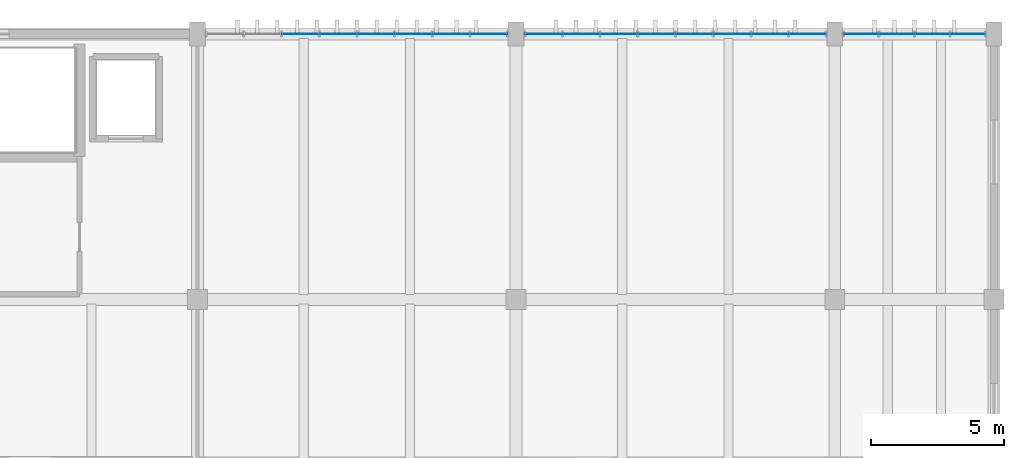
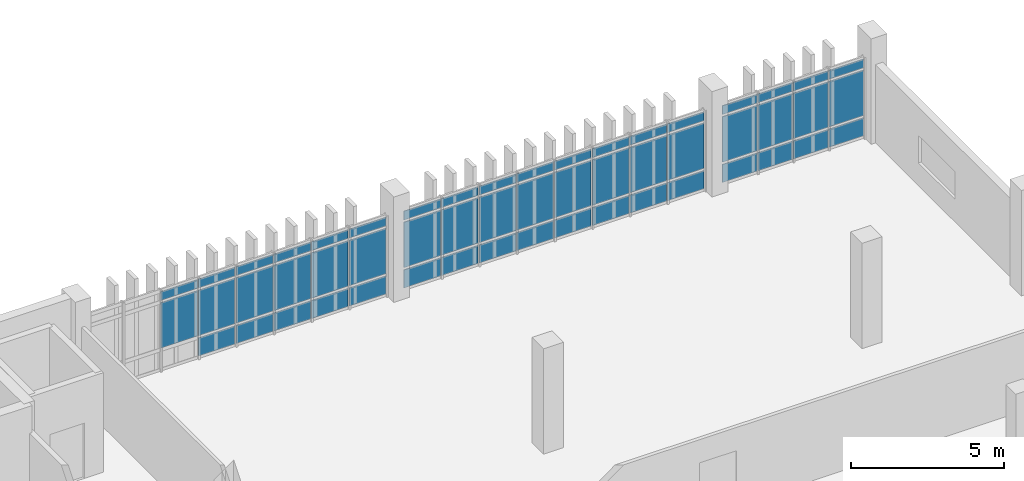
# One storey, part 140 of 161: 53 plates, 3 elements without a shape of their own.
"""IFC4 building model written with IfcOpenShell, lengths in metres."""

from ifc_helpers import new_model, si_unit, direction, frame, origin, origin_2d, place, context, subcontext, project, spatial, rectangle, extrude, material, layer, layer_set, type_object, element, aggregate, save


model = new_model("IFC4")

# Units and contexts
model_context = context("Model", 3, precision=1e-05, world=origin(), true_north=direction((0.0, 1.0)))
body_context = subcontext(model_context, "Body", "Model", "MODEL_VIEW")
ifc_project = project(units=[si_unit("LENGTHUNIT", "METRE"), si_unit("AREAUNIT", "SQUARE_METRE"), si_unit("VOLUMEUNIT", "CUBIC_METRE"), si_unit("PLANEANGLEUNIT", "RADIAN"), si_unit("MASSUNIT", "GRAM", prefix="KILO")], contexts=[model_context])

# Site, building, storey
site_placement = place(None, origin())
site = spatial("IfcSite", under=ifc_project, at=site_placement, CompositionType="ELEMENT")
building_placement = place(site_placement, origin())
building = spatial("IfcBuilding", under=site, at=building_placement, Name="Mersad Railyard Sports Hall", CompositionType="ELEMENT")
storey_placement = place(building_placement, frame((0.0, 0.0, 4.800048828125)))
storey = spatial("IfcBuildingStorey", under=building, at=storey_placement, Name="L01", CompositionType="ELEMENT", Elevation=4.800048828125)

# Curtain wall, plates
ifc_material_1 = material(Name="Aluminium 6063-T6", Category="aluminium")
ifc_layer_1 = layer(ifc_material_1, 0.199951171875)
ifc_layer_set_1 = layer_set([ifc_layer_1], Name="Aluminium 6063-T6")
curtain_wall_type_1 = type_object("IfcCurtainWallType", Name="ARC-CW-CW34", PredefinedType="USERDEFINED", material=ifc_layer_set_1)
curtain_wall_1_placement = place(storey_placement, origin())
curtain_wall_1 = element("IfcCurtainWall", 1, at=curtain_wall_1_placement, inside=storey, type_object=curtain_wall_type_1, Name="Curtain wall CW34-0101", ObjectType="CURTAIN WALL", PredefinedType="USERDEFINED")
ifc_material_2 = material(Name="Solar-control glass", Category="glass")
ifc_layer_2 = layer(ifc_material_2, 0.028076171875)
ifc_layer_set_2 = layer_set([ifc_layer_2], Name="Solar-control glass")
plate_type = type_object("IfcPlateType", Name="ARC-CW-PNL01", PredefinedType="CURTAIN_PANEL", material=ifc_layer_set_2)
plate_1_placement = place(storey_placement, frame((152.8701171875, 115.0, 0.89501953125), z_axis=(0.0, 0.0, 1.0), x_axis=(1.0, 0.0, 0.0)))
plate_1 = element("IfcPlate", 2, at=plate_1_placement, type_object=plate_type, Name="CW34 Glazed panel 3-2", PredefinedType="CURTAIN_PANEL", context=body_context, shape_type="SweptSolid", body=[
    extrude(rectangle(XDim=1.3759765625, YDim=0.028076171875, at=origin_2d()), origin(), (0.0, 0.0, 1.0), 1.81005859375),
])
plate_2_placement = place(storey_placement, frame((152.8701171875, 115.0, 2.794921875), z_axis=(0.0, 0.0, 1.0), x_axis=(1.0, 0.0, 0.0)))
plate_2 = element("IfcPlate", 3, at=plate_2_placement, type_object=plate_type, Name="CW34 Glazed panel 3-3", PredefinedType="CURTAIN_PANEL", context=body_context, shape_type="SweptSolid", body=[
    extrude(rectangle(XDim=1.3759765625, YDim=0.028076171875, at=origin_2d()), origin(), (0.0, 0.0, 1.0), 0.35009765625),
])
plate_3_placement = place(storey_placement, frame((154.2900390625, 115.0, 0.0849609375), z_axis=(0.0, 0.0, 1.0), x_axis=(1.0, 0.0, 0.0)))
plate_3 = element("IfcPlate", 4, at=plate_3_placement, type_object=plate_type, Name="CW34 Glazed panel 4-1", PredefinedType="CURTAIN_PANEL", context=body_context, shape_type="SweptSolid", body=[
    extrude(rectangle(XDim=1.3759765625, YDim=0.028076171875, at=origin_2d()), origin(), (0.0, 0.0, 1.0), 0.719970703125),
])
plate_4_placement = place(storey_placement, frame((154.2900390625, 115.0, 0.89501953125), z_axis=(0.0, 0.0, 1.0), x_axis=(1.0, 0.0, 0.0)))
plate_4 = element("IfcPlate", 5, at=plate_4_placement, type_object=plate_type, Name="CW34 Glazed panel 4-2", PredefinedType="CURTAIN_PANEL", context=body_context, shape_type="SweptSolid", body=[
    extrude(rectangle(XDim=1.3759765625, YDim=0.028076171875, at=origin_2d()), origin(), (0.0, 0.0, 1.0), 1.81005859375),
])
plate_5_placement = place(storey_placement, frame((154.2900390625, 115.0, 2.794921875), z_axis=(0.0, 0.0, 1.0), x_axis=(1.0, 0.0, 0.0)))
plate_5 = element("IfcPlate", 6, at=plate_5_placement, type_object=plate_type, Name="CW34 Glazed panel 4-3", PredefinedType="CURTAIN_PANEL", context=body_context, shape_type="SweptSolid", body=[
    extrude(rectangle(XDim=1.3759765625, YDim=0.028076171875, at=origin_2d()), origin(), (0.0, 0.0, 1.0), 0.35009765625),
])
plate_6_placement = place(storey_placement, frame((155.7099609375, 115.0, 0.0849609375), z_axis=(0.0, 0.0, 1.0), x_axis=(1.0, 0.0, 0.0)))
plate_6 = element("IfcPlate", 7, at=plate_6_placement, type_object=plate_type, Name="CW34 Glazed panel 5-1", PredefinedType="CURTAIN_PANEL", context=body_context, shape_type="SweptSolid", body=[
    extrude(rectangle(XDim=1.3759765625, YDim=0.028076171875, at=origin_2d()), origin(), (0.0, 0.0, 1.0), 0.719970703125),
])
plate_7_placement = place(storey_placement, frame((155.7099609375, 115.0, 0.89501953125), z_axis=(0.0, 0.0, 1.0), x_axis=(1.0, 0.0, 0.0)))
plate_7 = element("IfcPlate", 8, at=plate_7_placement, type_object=plate_type, Name="CW34 Glazed panel 5-2", PredefinedType="CURTAIN_PANEL", context=body_context, shape_type="SweptSolid", body=[
    extrude(rectangle(XDim=1.3759765625, YDim=0.028076171875, at=origin_2d()), origin(), (0.0, 0.0, 1.0), 1.81005859375),
])
plate_8_placement = place(storey_placement, frame((155.7099609375, 115.0, 2.794921875), z_axis=(0.0, 0.0, 1.0), x_axis=(1.0, 0.0, 0.0)))
plate_8 = element("IfcPlate", 9, at=plate_8_placement, type_object=plate_type, Name="CW34 Glazed panel 5-3", PredefinedType="CURTAIN_PANEL", context=body_context, shape_type="SweptSolid", body=[
    extrude(rectangle(XDim=1.3759765625, YDim=0.028076171875, at=origin_2d()), origin(), (0.0, 0.0, 1.0), 0.35009765625),
])
plate_9_placement = place(storey_placement, frame((157.1298828125, 115.0, 0.0849609375), z_axis=(0.0, 0.0, 1.0), x_axis=(1.0, 0.0, 0.0)))
plate_9 = element("IfcPlate", 10, at=plate_9_placement, type_object=plate_type, Name="CW34 Glazed panel 6-1", PredefinedType="CURTAIN_PANEL", context=body_context, shape_type="SweptSolid", body=[
    extrude(rectangle(XDim=1.3759765625, YDim=0.028076171875, at=origin_2d()), origin(), (0.0, 0.0, 1.0), 0.719970703125),
])
plate_10_placement = place(storey_placement, frame((157.1298828125, 115.0, 0.89501953125), z_axis=(0.0, 0.0, 1.0), x_axis=(1.0, 0.0, 0.0)))
plate_10 = element("IfcPlate", 11, at=plate_10_placement, type_object=plate_type, Name="CW34 Glazed panel 6-2", PredefinedType="CURTAIN_PANEL", context=body_context, shape_type="SweptSolid", body=[
    extrude(rectangle(XDim=1.3759765625, YDim=0.028076171875, at=origin_2d()), origin(), (0.0, 0.0, 1.0), 1.81005859375),
])
plate_11_placement = place(storey_placement, frame((157.1298828125, 115.0, 2.794921875), z_axis=(0.0, 0.0, 1.0), x_axis=(1.0, 0.0, 0.0)))
plate_11 = element("IfcPlate", 12, at=plate_11_placement, type_object=plate_type, Name="CW34 Glazed panel 6-3", PredefinedType="CURTAIN_PANEL", context=body_context, shape_type="SweptSolid", body=[
    extrude(rectangle(XDim=1.3759765625, YDim=0.028076171875, at=origin_2d()), origin(), (0.0, 0.0, 1.0), 0.35009765625),
])
plate_12_placement = place(storey_placement, frame((158.550048828125, 115.0, 0.0849609375), z_axis=(0.0, 0.0, 1.0), x_axis=(1.0, 0.0, 0.0)))
plate_12 = element("IfcPlate", 13, at=plate_12_placement, type_object=plate_type, Name="CW34 Glazed panel 7-1", PredefinedType="CURTAIN_PANEL", context=body_context, shape_type="SweptSolid", body=[
    extrude(rectangle(XDim=1.3759765625, YDim=0.028076171875, at=origin_2d()), origin(), (0.0, 0.0, 1.0), 0.719970703125),
])
plate_13_placement = place(storey_placement, frame((158.550048828125, 115.0, 0.89501953125), z_axis=(0.0, 0.0, 1.0), x_axis=(1.0, 0.0, 0.0)))
plate_13 = element("IfcPlate", 14, at=plate_13_placement, type_object=plate_type, Name="CW34 Glazed panel 7-2", PredefinedType="CURTAIN_PANEL", context=body_context, shape_type="SweptSolid", body=[
    extrude(rectangle(XDim=1.3759765625, YDim=0.028076171875, at=origin_2d()), origin(), (0.0, 0.0, 1.0), 1.81005859375),
])
plate_14_placement = place(storey_placement, frame((158.550048828125, 115.0, 2.794921875), z_axis=(0.0, 0.0, 1.0), x_axis=(1.0, 0.0, 0.0)))
plate_14 = element("IfcPlate", 15, at=plate_14_placement, type_object=plate_type, Name="CW34 Glazed panel 7-3", PredefinedType="CURTAIN_PANEL", context=body_context, shape_type="SweptSolid", body=[
    extrude(rectangle(XDim=1.3759765625, YDim=0.028076171875, at=origin_2d()), origin(), (0.0, 0.0, 1.0), 0.35009765625),
])
plate_15_placement = place(storey_placement, frame((159.969970703125, 115.0, 0.0849609375), z_axis=(0.0, 0.0, 1.0), x_axis=(1.0, 0.0, 0.0)))
plate_15 = element("IfcPlate", 16, at=plate_15_placement, type_object=plate_type, Name="CW34 Glazed panel 8-1", PredefinedType="CURTAIN_PANEL", context=body_context, shape_type="SweptSolid", body=[
    extrude(rectangle(XDim=1.3759765625, YDim=0.028076171875, at=origin_2d()), origin(), (0.0, 0.0, 1.0), 0.719970703125),
])
plate_16_placement = place(storey_placement, frame((159.969970703125, 115.0, 0.89501953125), z_axis=(0.0, 0.0, 1.0), x_axis=(1.0, 0.0, 0.0)))
plate_16 = element("IfcPlate", 17, at=plate_16_placement, type_object=plate_type, Name="CW34 Glazed panel 8-2", PredefinedType="CURTAIN_PANEL", context=body_context, shape_type="SweptSolid", body=[
    extrude(rectangle(XDim=1.3759765625, YDim=0.028076171875, at=origin_2d()), origin(), (0.0, 0.0, 1.0), 1.81005859375),
])
plate_17_placement = place(storey_placement, frame((159.969970703125, 115.0, 2.794921875), z_axis=(0.0, 0.0, 1.0), x_axis=(1.0, 0.0, 0.0)))
plate_17 = element("IfcPlate", 18, at=plate_17_placement, type_object=plate_type, Name="CW34 Glazed panel 8-3", PredefinedType="CURTAIN_PANEL", context=body_context, shape_type="SweptSolid", body=[
    extrude(rectangle(XDim=1.3759765625, YDim=0.028076171875, at=origin_2d()), origin(), (0.0, 0.0, 1.0), 0.35009765625),
])
aggregate(curtain_wall_1, [plate_1, plate_2, plate_3, plate_4, plate_5, plate_6, plate_7, plate_8, plate_9, plate_10, plate_11, plate_12, plate_13, plate_14, plate_15, plate_16, plate_17])

curtain_wall_2_placement = place(storey_placement, origin())
curtain_wall_2 = element("IfcCurtainWall", 19, at=curtain_wall_2_placement, inside=storey, type_object=curtain_wall_type_1, Name="Curtain wall CW34-0102", ObjectType="CURTAIN WALL", PredefinedType="USERDEFINED")
plate_18_placement = place(storey_placement, frame((162.030029296875, 115.0, 0.0849609375), z_axis=(0.0, 0.0, 1.0), x_axis=(1.0, 0.0, 0.0)))
plate_18 = element("IfcPlate", 20, at=plate_18_placement, type_object=plate_type, Name="CW34 Glazed panel 1-1", PredefinedType="CURTAIN_PANEL", context=body_context, shape_type="SweptSolid", body=[
    extrude(rectangle(XDim=1.3759765625, YDim=0.028076171875, at=origin_2d()), origin(), (0.0, 0.0, 1.0), 0.719970703125),
])
plate_19_placement = place(storey_placement, frame((162.030029296875, 115.0, 0.89501953125), z_axis=(0.0, 0.0, 1.0), x_axis=(1.0, 0.0, 0.0)))
plate_19 = element("IfcPlate", 21, at=plate_19_placement, type_object=plate_type, Name="CW34 Glazed panel 1-2", PredefinedType="CURTAIN_PANEL", context=body_context, shape_type="SweptSolid", body=[
    extrude(rectangle(XDim=1.3759765625, YDim=0.028076171875, at=origin_2d()), origin(), (0.0, 0.0, 1.0), 1.81005859375),
])
plate_20_placement = place(storey_placement, frame((162.030029296875, 115.0, 2.794921875), z_axis=(0.0, 0.0, 1.0), x_axis=(1.0, 0.0, 0.0)))
plate_20 = element("IfcPlate", 22, at=plate_20_placement, type_object=plate_type, Name="CW34 Glazed panel 1-3", PredefinedType="CURTAIN_PANEL", context=body_context, shape_type="SweptSolid", body=[
    extrude(rectangle(XDim=1.3759765625, YDim=0.028076171875, at=origin_2d()), origin(), (0.0, 0.0, 1.0), 0.35009765625),
])
plate_21_placement = place(storey_placement, frame((163.449951171875, 115.0, 0.0849609375), z_axis=(0.0, 0.0, 1.0), x_axis=(1.0, 0.0, 0.0)))
plate_21 = element("IfcPlate", 23, at=plate_21_placement, type_object=plate_type, Name="CW34 Glazed panel 2-1", PredefinedType="CURTAIN_PANEL", context=body_context, shape_type="SweptSolid", body=[
    extrude(rectangle(XDim=1.3759765625, YDim=0.028076171875, at=origin_2d()), origin(), (0.0, 0.0, 1.0), 0.719970703125),
])
plate_22_placement = place(storey_placement, frame((163.449951171875, 115.0, 0.89501953125), z_axis=(0.0, 0.0, 1.0), x_axis=(1.0, 0.0, 0.0)))
plate_22 = element("IfcPlate", 24, at=plate_22_placement, type_object=plate_type, Name="CW34 Glazed panel 2-2", PredefinedType="CURTAIN_PANEL", context=body_context, shape_type="SweptSolid", body=[
    extrude(rectangle(XDim=1.3759765625, YDim=0.028076171875, at=origin_2d()), origin(), (0.0, 0.0, 1.0), 1.81005859375),
])
plate_23_placement = place(storey_placement, frame((163.449951171875, 115.0, 2.794921875), z_axis=(0.0, 0.0, 1.0), x_axis=(1.0, 0.0, 0.0)))
plate_23 = element("IfcPlate", 25, at=plate_23_placement, type_object=plate_type, Name="CW34 Glazed panel 2-3", PredefinedType="CURTAIN_PANEL", context=body_context, shape_type="SweptSolid", body=[
    extrude(rectangle(XDim=1.3759765625, YDim=0.028076171875, at=origin_2d()), origin(), (0.0, 0.0, 1.0), 0.35009765625),
])
plate_24_placement = place(storey_placement, frame((164.8701171875, 115.0, 0.0849609375), z_axis=(0.0, 0.0, 1.0), x_axis=(1.0, 0.0, 0.0)))
plate_24 = element("IfcPlate", 26, at=plate_24_placement, type_object=plate_type, Name="CW34 Glazed panel 3-1", PredefinedType="CURTAIN_PANEL", context=body_context, shape_type="SweptSolid", body=[
    extrude(rectangle(XDim=1.3759765625, YDim=0.028076171875, at=origin_2d()), origin(), (0.0, 0.0, 1.0), 0.719970703125),
])
plate_25_placement = place(storey_placement, frame((164.8701171875, 115.0, 0.89501953125), z_axis=(0.0, 0.0, 1.0), x_axis=(1.0, 0.0, 0.0)))
plate_25 = element("IfcPlate", 27, at=plate_25_placement, type_object=plate_type, Name="CW34 Glazed panel 3-2", PredefinedType="CURTAIN_PANEL", context=body_context, shape_type="SweptSolid", body=[
    extrude(rectangle(XDim=1.3759765625, YDim=0.028076171875, at=origin_2d()), origin(), (0.0, 0.0, 1.0), 1.81005859375),
])
plate_26_placement = place(storey_placement, frame((164.8701171875, 115.0, 2.794921875), z_axis=(0.0, 0.0, 1.0), x_axis=(1.0, 0.0, 0.0)))
plate_26 = element("IfcPlate", 28, at=plate_26_placement, type_object=plate_type, Name="CW34 Glazed panel 3-3", PredefinedType="CURTAIN_PANEL", context=body_context, shape_type="SweptSolid", body=[
    extrude(rectangle(XDim=1.3759765625, YDim=0.028076171875, at=origin_2d()), origin(), (0.0, 0.0, 1.0), 0.35009765625),
])
plate_27_placement = place(storey_placement, frame((166.2900390625, 115.0, 0.0849609375), z_axis=(0.0, 0.0, 1.0), x_axis=(1.0, 0.0, 0.0)))
plate_27 = element("IfcPlate", 29, at=plate_27_placement, type_object=plate_type, Name="CW34 Glazed panel 4-1", PredefinedType="CURTAIN_PANEL", context=body_context, shape_type="SweptSolid", body=[
    extrude(rectangle(XDim=1.3759765625, YDim=0.028076171875, at=origin_2d()), origin(), (0.0, 0.0, 1.0), 0.719970703125),
])
plate_28_placement = place(storey_placement, frame((166.2900390625, 115.0, 0.89501953125), z_axis=(0.0, 0.0, 1.0), x_axis=(1.0, 0.0, 0.0)))
plate_28 = element("IfcPlate", 30, at=plate_28_placement, type_object=plate_type, Name="CW34 Glazed panel 4-2", PredefinedType="CURTAIN_PANEL", context=body_context, shape_type="SweptSolid", body=[
    extrude(rectangle(XDim=1.3759765625, YDim=0.028076171875, at=origin_2d()), origin(), (0.0, 0.0, 1.0), 1.81005859375),
])
plate_29_placement = place(storey_placement, frame((166.2900390625, 115.0, 2.794921875), z_axis=(0.0, 0.0, 1.0), x_axis=(1.0, 0.0, 0.0)))
plate_29 = element("IfcPlate", 31, at=plate_29_placement, type_object=plate_type, Name="CW34 Glazed panel 4-3", PredefinedType="CURTAIN_PANEL", context=body_context, shape_type="SweptSolid", body=[
    extrude(rectangle(XDim=1.3759765625, YDim=0.028076171875, at=origin_2d()), origin(), (0.0, 0.0, 1.0), 0.35009765625),
])
plate_30_placement = place(storey_placement, frame((167.7099609375, 115.0, 0.0849609375), z_axis=(0.0, 0.0, 1.0), x_axis=(1.0, 0.0, 0.0)))
plate_30 = element("IfcPlate", 32, at=plate_30_placement, type_object=plate_type, Name="CW34 Glazed panel 5-1", PredefinedType="CURTAIN_PANEL", context=body_context, shape_type="SweptSolid", body=[
    extrude(rectangle(XDim=1.3759765625, YDim=0.028076171875, at=origin_2d()), origin(), (0.0, 0.0, 1.0), 0.719970703125),
])
plate_31_placement = place(storey_placement, frame((167.7099609375, 115.0, 0.89501953125), z_axis=(0.0, 0.0, 1.0), x_axis=(1.0, 0.0, 0.0)))
plate_31 = element("IfcPlate", 33, at=plate_31_placement, type_object=plate_type, Name="CW34 Glazed panel 5-2", PredefinedType="CURTAIN_PANEL", context=body_context, shape_type="SweptSolid", body=[
    extrude(rectangle(XDim=1.3759765625, YDim=0.028076171875, at=origin_2d()), origin(), (0.0, 0.0, 1.0), 1.81005859375),
])
plate_32_placement = place(storey_placement, frame((167.7099609375, 115.0, 2.794921875), z_axis=(0.0, 0.0, 1.0), x_axis=(1.0, 0.0, 0.0)))
plate_32 = element("IfcPlate", 34, at=plate_32_placement, type_object=plate_type, Name="CW34 Glazed panel 5-3", PredefinedType="CURTAIN_PANEL", context=body_context, shape_type="SweptSolid", body=[
    extrude(rectangle(XDim=1.3759765625, YDim=0.028076171875, at=origin_2d()), origin(), (0.0, 0.0, 1.0), 0.35009765625),
])
plate_33_placement = place(storey_placement, frame((169.1298828125, 115.0, 0.0849609375), z_axis=(0.0, 0.0, 1.0), x_axis=(1.0, 0.0, 0.0)))
plate_33 = element("IfcPlate", 35, at=plate_33_placement, type_object=plate_type, Name="CW34 Glazed panel 6-1", PredefinedType="CURTAIN_PANEL", context=body_context, shape_type="SweptSolid", body=[
    extrude(rectangle(XDim=1.3759765625, YDim=0.028076171875, at=origin_2d()), origin(), (0.0, 0.0, 1.0), 0.719970703125),
])
plate_34_placement = place(storey_placement, frame((169.1298828125, 115.0, 0.89501953125), z_axis=(0.0, 0.0, 1.0), x_axis=(1.0, 0.0, 0.0)))
plate_34 = element("IfcPlate", 36, at=plate_34_placement, type_object=plate_type, Name="CW34 Glazed panel 6-2", PredefinedType="CURTAIN_PANEL", context=body_context, shape_type="SweptSolid", body=[
    extrude(rectangle(XDim=1.3759765625, YDim=0.028076171875, at=origin_2d()), origin(), (0.0, 0.0, 1.0), 1.81005859375),
])
plate_35_placement = place(storey_placement, frame((169.1298828125, 115.0, 2.794921875), z_axis=(0.0, 0.0, 1.0), x_axis=(1.0, 0.0, 0.0)))
plate_35 = element("IfcPlate", 37, at=plate_35_placement, type_object=plate_type, Name="CW34 Glazed panel 6-3", PredefinedType="CURTAIN_PANEL", context=body_context, shape_type="SweptSolid", body=[
    extrude(rectangle(XDim=1.3759765625, YDim=0.028076171875, at=origin_2d()), origin(), (0.0, 0.0, 1.0), 0.35009765625),
])
plate_36_placement = place(storey_placement, frame((170.550048828125, 115.0, 0.0849609375), z_axis=(0.0, 0.0, 1.0), x_axis=(1.0, 0.0, 0.0)))
plate_36 = element("IfcPlate", 38, at=plate_36_placement, type_object=plate_type, Name="CW34 Glazed panel 7-1", PredefinedType="CURTAIN_PANEL", context=body_context, shape_type="SweptSolid", body=[
    extrude(rectangle(XDim=1.3759765625, YDim=0.028076171875, at=origin_2d()), origin(), (0.0, 0.0, 1.0), 0.719970703125),
])
plate_37_placement = place(storey_placement, frame((170.550048828125, 115.0, 0.89501953125), z_axis=(0.0, 0.0, 1.0), x_axis=(1.0, 0.0, 0.0)))
plate_37 = element("IfcPlate", 39, at=plate_37_placement, type_object=plate_type, Name="CW34 Glazed panel 7-2", PredefinedType="CURTAIN_PANEL", context=body_context, shape_type="SweptSolid", body=[
    extrude(rectangle(XDim=1.3759765625, YDim=0.028076171875, at=origin_2d()), origin(), (0.0, 0.0, 1.0), 1.81005859375),
])
plate_38_placement = place(storey_placement, frame((170.550048828125, 115.0, 2.794921875), z_axis=(0.0, 0.0, 1.0), x_axis=(1.0, 0.0, 0.0)))
plate_38 = element("IfcPlate", 40, at=plate_38_placement, type_object=plate_type, Name="CW34 Glazed panel 7-3", PredefinedType="CURTAIN_PANEL", context=body_context, shape_type="SweptSolid", body=[
    extrude(rectangle(XDim=1.3759765625, YDim=0.028076171875, at=origin_2d()), origin(), (0.0, 0.0, 1.0), 0.35009765625),
])
plate_39_placement = place(storey_placement, frame((171.969970703125, 115.0, 0.0849609375), z_axis=(0.0, 0.0, 1.0), x_axis=(1.0, 0.0, 0.0)))
plate_39 = element("IfcPlate", 41, at=plate_39_placement, type_object=plate_type, Name="CW34 Glazed panel 8-1", PredefinedType="CURTAIN_PANEL", context=body_context, shape_type="SweptSolid", body=[
    extrude(rectangle(XDim=1.3759765625, YDim=0.028076171875, at=origin_2d()), origin(), (0.0, 0.0, 1.0), 0.719970703125),
])
plate_40_placement = place(storey_placement, frame((171.969970703125, 115.0, 0.89501953125), z_axis=(0.0, 0.0, 1.0), x_axis=(1.0, 0.0, 0.0)))
plate_40 = element("IfcPlate", 42, at=plate_40_placement, type_object=plate_type, Name="CW34 Glazed panel 8-2", PredefinedType="CURTAIN_PANEL", context=body_context, shape_type="SweptSolid", body=[
    extrude(rectangle(XDim=1.3759765625, YDim=0.028076171875, at=origin_2d()), origin(), (0.0, 0.0, 1.0), 1.81005859375),
])
plate_41_placement = place(storey_placement, frame((171.969970703125, 115.0, 2.794921875), z_axis=(0.0, 0.0, 1.0), x_axis=(1.0, 0.0, 0.0)))
plate_41 = element("IfcPlate", 43, at=plate_41_placement, type_object=plate_type, Name="CW34 Glazed panel 8-3", PredefinedType="CURTAIN_PANEL", context=body_context, shape_type="SweptSolid", body=[
    extrude(rectangle(XDim=1.3759765625, YDim=0.028076171875, at=origin_2d()), origin(), (0.0, 0.0, 1.0), 0.35009765625),
])
aggregate(curtain_wall_2, [plate_18, plate_19, plate_20, plate_21, plate_22, plate_23, plate_24, plate_25, plate_26, plate_27, plate_28, plate_29, plate_30, plate_31, plate_32, plate_33, plate_34, plate_35, plate_36, plate_37, plate_38, plate_39, plate_40, plate_41])

ifc_layer_3 = layer(ifc_material_1, 0.199951171875)
ifc_layer_set_3 = layer_set([ifc_layer_3], Name="Aluminium 6063-T6")
curtain_wall_type_2 = type_object("IfcCurtainWallType", Name="ARC-CW-CW36", PredefinedType="USERDEFINED", material=ifc_layer_set_3)
curtain_wall_3_placement = place(storey_placement, origin())
curtain_wall_3 = element("IfcCurtainWall", 44, at=curtain_wall_3_placement, inside=storey, type_object=curtain_wall_type_2, Name="Curtain wall CW36-0103", ObjectType="CURTAIN WALL", PredefinedType="USERDEFINED")
plate_42_placement = place(storey_placement, frame((173.989990234375, 115.0, 0.0849609375), z_axis=(0.0, 0.0, 1.0), x_axis=(1.0, 0.0, 0.0)))
plate_42 = element("IfcPlate", 45, at=plate_42_placement, type_object=plate_type, Name="CW36 Glazed panel 1-1", PredefinedType="CURTAIN_PANEL", context=body_context, shape_type="SweptSolid", body=[
    extrude(rectangle(XDim=1.2958984375, YDim=0.028076171875, at=origin_2d()), origin(), (0.0, 0.0, 1.0), 0.719970703125),
])
plate_43_placement = place(storey_placement, frame((173.989990234375, 115.0, 0.89501953125), z_axis=(0.0, 0.0, 1.0), x_axis=(1.0, 0.0, 0.0)))
plate_43 = element("IfcPlate", 46, at=plate_43_placement, type_object=plate_type, Name="CW36 Glazed panel 1-2", PredefinedType="CURTAIN_PANEL", context=body_context, shape_type="SweptSolid", body=[
    extrude(rectangle(XDim=1.2958984375, YDim=0.028076171875, at=origin_2d()), origin(), (0.0, 0.0, 1.0), 1.81005859375),
])
plate_44_placement = place(storey_placement, frame((173.989990234375, 115.0, 2.794921875), z_axis=(0.0, 0.0, 1.0), x_axis=(1.0, 0.0, 0.0)))
plate_44 = element("IfcPlate", 47, at=plate_44_placement, type_object=plate_type, Name="CW36 Glazed panel 1-3", PredefinedType="CURTAIN_PANEL", context=body_context, shape_type="SweptSolid", body=[
    extrude(rectangle(XDim=1.2958984375, YDim=0.028076171875, at=origin_2d()), origin(), (0.0, 0.0, 1.0), 0.35009765625),
])
plate_45_placement = place(storey_placement, frame((175.330078125, 115.0, 0.0849609375), z_axis=(0.0, 0.0, 1.0), x_axis=(1.0, 0.0, 0.0)))
plate_45 = element("IfcPlate", 48, at=plate_45_placement, type_object=plate_type, Name="CW36 Glazed panel 2-1", PredefinedType="CURTAIN_PANEL", context=body_context, shape_type="SweptSolid", body=[
    extrude(rectangle(XDim=1.2958984375, YDim=0.028076171875, at=origin_2d()), origin(), (0.0, 0.0, 1.0), 0.719970703125),
])
plate_46_placement = place(storey_placement, frame((175.330078125, 115.0, 0.89501953125), z_axis=(0.0, 0.0, 1.0), x_axis=(1.0, 0.0, 0.0)))
plate_46 = element("IfcPlate", 49, at=plate_46_placement, type_object=plate_type, Name="CW36 Glazed panel 2-2", PredefinedType="CURTAIN_PANEL", context=body_context, shape_type="SweptSolid", body=[
    extrude(rectangle(XDim=1.2958984375, YDim=0.028076171875, at=origin_2d()), origin(), (0.0, 0.0, 1.0), 1.81005859375),
])
plate_47_placement = place(storey_placement, frame((175.330078125, 115.0, 2.794921875), z_axis=(0.0, 0.0, 1.0), x_axis=(1.0, 0.0, 0.0)))
plate_47 = element("IfcPlate", 50, at=plate_47_placement, type_object=plate_type, Name="CW36 Glazed panel 2-3", PredefinedType="CURTAIN_PANEL", context=body_context, shape_type="SweptSolid", body=[
    extrude(rectangle(XDim=1.2958984375, YDim=0.028076171875, at=origin_2d()), origin(), (0.0, 0.0, 1.0), 0.35009765625),
])
plate_48_placement = place(storey_placement, frame((176.669921875, 115.0, 0.0849609375), z_axis=(0.0, 0.0, 1.0), x_axis=(1.0, 0.0, 0.0)))
plate_48 = element("IfcPlate", 51, at=plate_48_placement, type_object=plate_type, Name="CW36 Glazed panel 3-1", PredefinedType="CURTAIN_PANEL", context=body_context, shape_type="SweptSolid", body=[
    extrude(rectangle(XDim=1.2958984375, YDim=0.028076171875, at=origin_2d()), origin(), (0.0, 0.0, 1.0), 0.719970703125),
])
plate_49_placement = place(storey_placement, frame((176.669921875, 115.0, 0.89501953125), z_axis=(0.0, 0.0, 1.0), x_axis=(1.0, 0.0, 0.0)))
plate_49 = element("IfcPlate", 52, at=plate_49_placement, type_object=plate_type, Name="CW36 Glazed panel 3-2", PredefinedType="CURTAIN_PANEL", context=body_context, shape_type="SweptSolid", body=[
    extrude(rectangle(XDim=1.2958984375, YDim=0.028076171875, at=origin_2d()), origin(), (0.0, 0.0, 1.0), 1.81005859375),
])
plate_50_placement = place(storey_placement, frame((176.669921875, 115.0, 2.794921875), z_axis=(0.0, 0.0, 1.0), x_axis=(1.0, 0.0, 0.0)))
plate_50 = element("IfcPlate", 53, at=plate_50_placement, type_object=plate_type, Name="CW36 Glazed panel 3-3", PredefinedType="CURTAIN_PANEL", context=body_context, shape_type="SweptSolid", body=[
    extrude(rectangle(XDim=1.2958984375, YDim=0.028076171875, at=origin_2d()), origin(), (0.0, 0.0, 1.0), 0.35009765625),
])
plate_51_placement = place(storey_placement, frame((178.010009765625, 115.0, 0.0849609375), z_axis=(0.0, 0.0, 1.0), x_axis=(1.0, 0.0, 0.0)))
plate_51 = element("IfcPlate", 54, at=plate_51_placement, type_object=plate_type, Name="CW36 Glazed panel 4-1", PredefinedType="CURTAIN_PANEL", context=body_context, shape_type="SweptSolid", body=[
    extrude(rectangle(XDim=1.2958984375, YDim=0.028076171875, at=origin_2d()), origin(), (0.0, 0.0, 1.0), 0.719970703125),
])
plate_52_placement = place(storey_placement, frame((178.010009765625, 115.0, 0.89501953125), z_axis=(0.0, 0.0, 1.0), x_axis=(1.0, 0.0, 0.0)))
plate_52 = element("IfcPlate", 55, at=plate_52_placement, type_object=plate_type, Name="CW36 Glazed panel 4-2", PredefinedType="CURTAIN_PANEL", context=body_context, shape_type="SweptSolid", body=[
    extrude(rectangle(XDim=1.2958984375, YDim=0.028076171875, at=origin_2d()), origin(), (0.0, 0.0, 1.0), 1.81005859375),
])
plate_53_placement = place(storey_placement, frame((178.010009765625, 115.0, 2.794921875), z_axis=(0.0, 0.0, 1.0), x_axis=(1.0, 0.0, 0.0)))
plate_53 = element("IfcPlate", 56, at=plate_53_placement, type_object=plate_type, Name="CW36 Glazed panel 4-3", PredefinedType="CURTAIN_PANEL", context=body_context, shape_type="SweptSolid", body=[
    extrude(rectangle(XDim=1.2958984375, YDim=0.028076171875, at=origin_2d()), origin(), (0.0, 0.0, 1.0), 0.35009765625),
])
aggregate(curtain_wall_3, [plate_42, plate_43, plate_44, plate_45, plate_46, plate_47, plate_48, plate_49, plate_50, plate_51, plate_52, plate_53])

save(model, "model.ifc")
